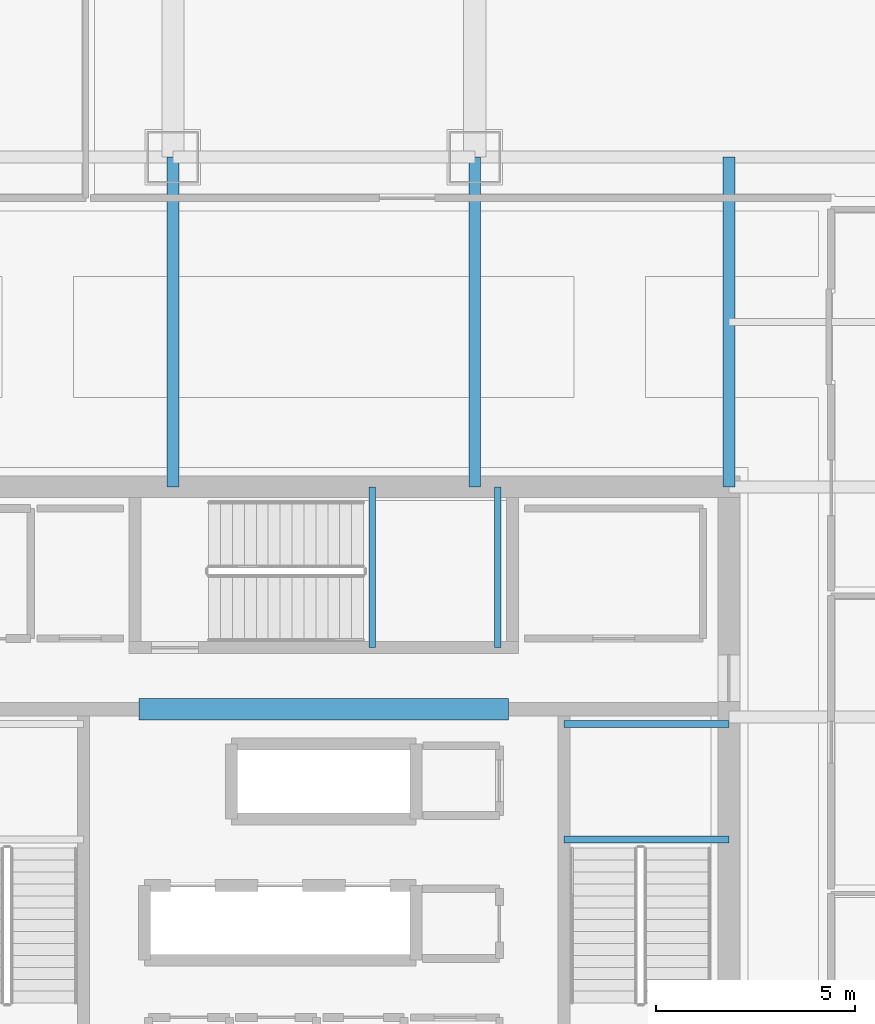
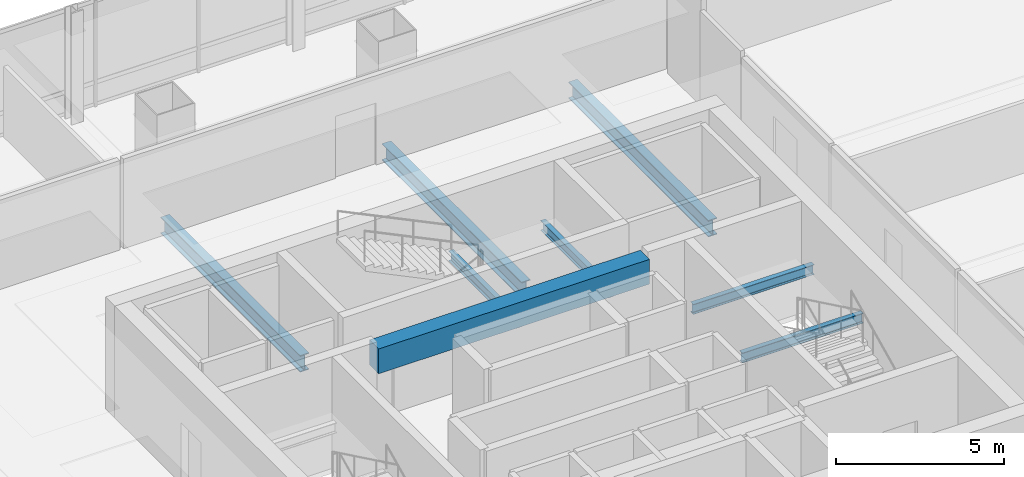
# One storey, part 13 of 42: 8 beams.
"""IFC4 building model written with IfcOpenShell, lengths in metres."""

from ifc_helpers import new_model, si_unit, direction, frame, origin, origin_2d, place, context, subcontext, project, spatial, rectangle, i_section, extrude, material, material_profile, profile_set, type_object, element, save


model = new_model("IFC4")

# Units and contexts
model_context = context("Model", 3, precision=1e-05, world=origin(), true_north=direction((0.0, 1.0)))
body_context = subcontext(model_context, "Body", "Model", "MODEL_VIEW")
ifc_project = project(units=[si_unit("LENGTHUNIT", "METRE"), si_unit("AREAUNIT", "SQUARE_METRE"), si_unit("VOLUMEUNIT", "CUBIC_METRE"), si_unit("PLANEANGLEUNIT", "RADIAN"), si_unit("MASSUNIT", "GRAM", prefix="KILO")], contexts=[model_context])

# Site, building, storey
site_placement = place(None, origin())
site = spatial("IfcSite", under=ifc_project, at=site_placement, CompositionType="ELEMENT")
building_placement = place(site_placement, origin())
building = spatial("IfcBuilding", under=site, at=building_placement, Name="Punatoya Terracotta Tower", CompositionType="ELEMENT")
storey_placement = place(building_placement, frame((0.0, 0.0, 259.5)))
storey = spatial("IfcBuildingStorey", under=building, at=storey_placement, Name="L61", CompositionType="ELEMENT", Elevation=259.5)

# Beams
ifc_material_1 = material(Name="Steel S355", Category="steel")
ifc_material_profile_1 = material_profile(ifc_material_1, i_section(OverallWidth=0.300048828125, OverallDepth=0.60009765625, WebThickness=0.015380859375, FlangeThickness=0.030029296875, FilletRadius=0.01806640625, at=origin_2d()))
ifc_profile_set_1 = profile_set([ifc_material_profile_1], Name="Steel S355")
beam_type_1 = type_object("IfcBeamType", Name="BM-PRI-600", PredefinedType="BEAM", material=ifc_profile_set_1)
for number, where, z_axis, x_axis, name in (
    (1, (-3.800048828125, 9.199951171875, -0.5), (0.0, 1.0, 0.0), (-1.0, 0.0, 0.0), "BM-L61-PR-N2"),
    (2, (3.800048828125, 9.199951171875, -0.5), (0.0, 1.0, 0.0), (-1.0, 0.0, 0.0), "BM-L61-PR-N3"),
    (3, (10.199951171875, 9.199951171875, -0.5), (0.0, 1.0, 0.0), (-1.0, 0.0, 0.0), "BM-L61-PR-N4"),
):
    element("IfcBeam", number, at=place(storey_placement, frame(where, z_axis=z_axis, x_axis=x_axis)), inside=storey, type_object=beam_type_1, Name=name, PredefinedType="BEAM", context=body_context, shape_type="SweptSolid", body=[
        extrude(i_section(OverallWidth=0.300048828125, OverallDepth=0.60009765625, WebThickness=0.015380859375, FlangeThickness=0.030029296875, FilletRadius=0.01806640625, at=origin_2d()), origin(), (0.0, 0.0, 1.0), 8.300048828125),
    ])
ifc_material_2 = material(Name="Concrete C50/60", Category="concrete")
ifc_material_profile_2 = material_profile(ifc_material_2, rectangle(XDim=0.550048828125, YDim=0.89990234375, at=origin_2d()))
ifc_profile_set_2 = profile_set([ifc_material_profile_2], Name="Concrete C50/60")
beam_type_2 = type_object("IfcBeamType", Name="BM-RC-900", PredefinedType="LINTEL", material=ifc_profile_set_2)
beam_placement = place(storey_placement, frame((-4.64990234375, 3.60009765625, 3.39990234375), z_axis=(1.0, 0.0, 0.0), x_axis=(0.0, 1.0, 0.0)))
element("IfcBeam", 4, at=beam_placement, inside=storey, type_object=beam_type_2, Name="L61 Core Coupling Lintel CNW", PredefinedType="LINTEL", context=body_context, shape_type="SweptSolid", body=[
    extrude(rectangle(XDim=0.550048828125, YDim=0.89990234375, at=origin_2d()), origin(), (0.0, 0.0, 1.0), 9.2998046875),
])
ifc_material_profile_3 = material_profile(ifc_material_1, i_section(OverallWidth=0.169921875, OverallDepth=0.360107421875, WebThickness=0.008056640625, FlangeThickness=0.0126953125, FilletRadius=0.01806640625, at=origin_2d()))
ifc_profile_set_3 = profile_set([ifc_material_profile_3], Name="Steel S355")
beam_type_3 = type_object("IfcBeamType", Name="BM-SEC-360", PredefinedType="JOIST", material=ifc_profile_set_3)
for number, where, z_axis, x_axis, name in (
    (5, (6.050048828125, 0.320068359375, 1.64501953125), (1.0, 0.0, 0.0), (0.0, 1.0, 0.0), "BM-L61-ST-2-LD1A"),
    (6, (6.050048828125, 3.22998046875, 1.64501953125), (1.0, 0.0, 0.0), (0.0, 1.0, 0.0), "BM-L61-ST-2-LD1B"),
):
    element("IfcBeam", number, at=place(storey_placement, frame(where, z_axis=z_axis, x_axis=x_axis)), inside=storey, type_object=beam_type_3, Name=name, PredefinedType="JOIST", context=body_context, shape_type="SweptSolid", body=[
        extrude(i_section(OverallWidth=0.169921875, OverallDepth=0.360107421875, WebThickness=0.008056640625, FlangeThickness=0.0126953125, FilletRadius=0.01806640625, at=origin_2d()), origin(), (0.0, 0.0, 1.0), 4.14990234375),
    ])
for number, where, z_axis, x_axis, name in (
    (7, (1.219970703125, 5.14990234375, 1.64501953125), (0.0, 1.0, 0.0), (-1.0, 0.0, 0.0), "BM-L61-ST-3-LD1A"),
    (8, (4.3798828125, 5.14990234375, 1.64501953125), (0.0, 1.0, 0.0), (-1.0, 0.0, 0.0), "BM-L61-ST-3-LD1B"),
):
    element("IfcBeam", number, at=place(storey_placement, frame(where, z_axis=z_axis, x_axis=x_axis)), inside=storey, type_object=beam_type_3, Name=name, PredefinedType="JOIST", context=body_context, shape_type="SweptSolid", body=[
        extrude(i_section(OverallWidth=0.169921875, OverallDepth=0.360107421875, WebThickness=0.008056640625, FlangeThickness=0.0126953125, FilletRadius=0.01806640625, at=origin_2d()), origin(), (0.0, 0.0, 1.0), 4.050048828125),
    ])

save(model, "model.ifc")
